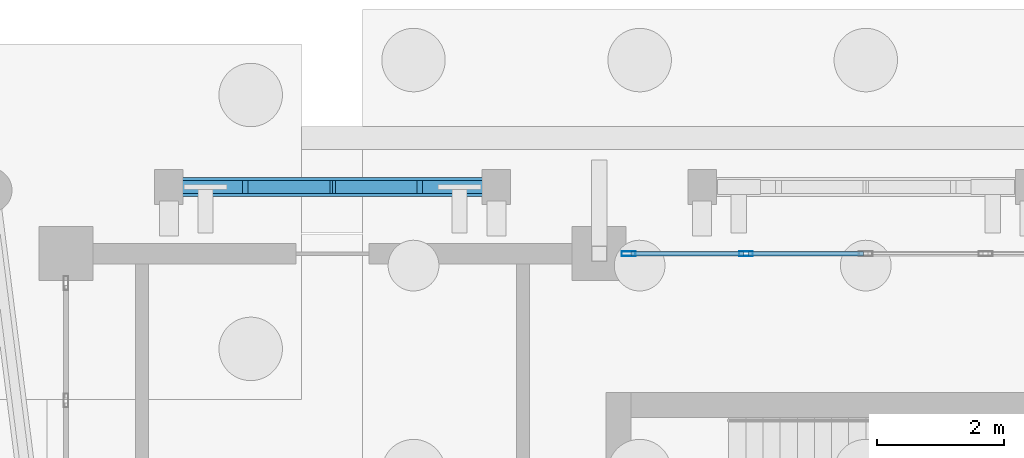
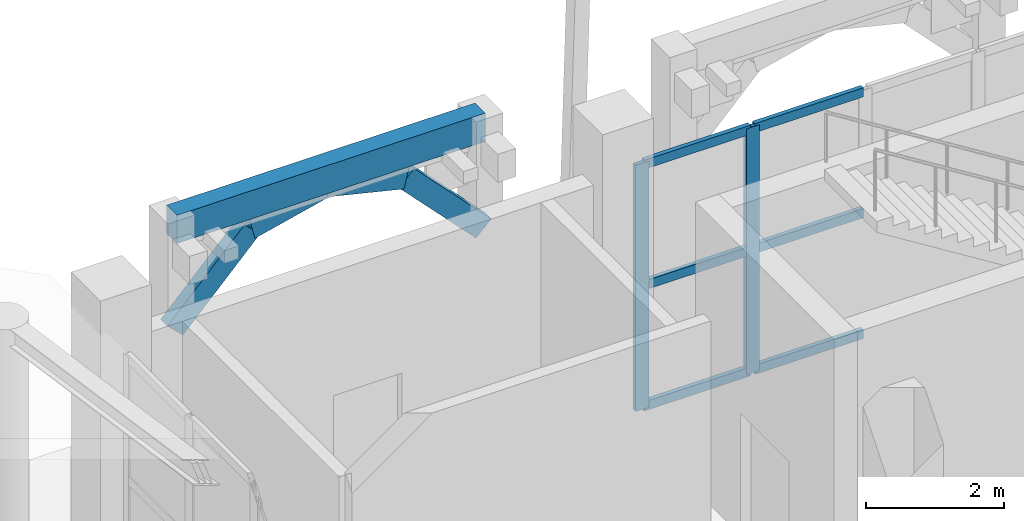
# One storey, part 34 of 98: 12 members, 1 beam, 1 element without a shape of its own.
"""IFC4 building model written with IfcOpenShell, lengths in metres."""

from ifc_helpers import new_model, si_unit, direction, frame, origin, origin_2d, place, context, subcontext, project, spatial, rectangle, hollow_rectangle, extrude, material, layer, layer_set, material_profile, profile_set, type_object, element, aggregate, save


model = new_model("IFC4")

# Units and contexts
model_context = context("Model", 3, precision=1e-05, world=origin(), true_north=direction((0.0, 1.0)))
body_context = subcontext(model_context, "Body", "Model", "MODEL_VIEW")
ifc_project = project(units=[si_unit("LENGTHUNIT", "METRE"), si_unit("AREAUNIT", "SQUARE_METRE"), si_unit("VOLUMEUNIT", "CUBIC_METRE"), si_unit("PLANEANGLEUNIT", "RADIAN"), si_unit("MASSUNIT", "GRAM", prefix="KILO")], contexts=[model_context])

# Site, building, storey
site_placement = place(None, origin())
site = spatial("IfcSite", under=ifc_project, at=site_placement, CompositionType="ELEMENT")
building_placement = place(site_placement, origin())
building = spatial("IfcBuilding", under=site, at=building_placement, Name="Xazarin Passage Department Store", CompositionType="ELEMENT")
storey_placement = place(building_placement, origin())
storey = spatial("IfcBuildingStorey", under=building, at=storey_placement, Name="L00", CompositionType="ELEMENT", Elevation=0.0)

# Curtain wall, members
ifc_material_1 = material(Name="Bronze anodised aluminium", Category="aluminium")
ifc_layer = layer(ifc_material_1, 0.179931640625)
ifc_layer_set = layer_set([ifc_layer], Name="Bronze anodised aluminium")
curtain_wall_type = type_object("IfcCurtainWallType", Name="ARC-CW-VIT1", PredefinedType="NOTDEFINED", material=ifc_layer_set)
curtain_wall_placement = place(storey_placement, origin())
curtain_wall = element("IfcCurtainWall", 1, at=curtain_wall_placement, inside=storey, type_object=curtain_wall_type, Name="L00 V1 Curtain Wall 003", PredefinedType="NOTDEFINED")
ifc_material_profile_1 = material_profile(ifc_material_1, hollow_rectangle(XDim=0.074951171875, YDim=0.219970703125, WallThickness=0.0048828125, at=origin_2d()), Name="ALU 75x220")
ifc_profile_set_1 = profile_set([ifc_material_profile_1], Name="Bronze anodised aluminium")
member_type_1 = type_object("IfcMemberType", Name="ARC-CWM-75x220", PredefinedType="MULLION", material=ifc_profile_set_1)
member_1_placement = place(storey_placement, frame((25.66259765625, 110.0, 0.0), z_axis=(0.0, 0.0, 1.0), x_axis=(0.0, 1.0, 0.0)))
member_1 = element("IfcMember", 2, at=member_1_placement, type_object=member_type_1, Name="CW1 mullion 1", PredefinedType="MULLION", context=body_context, shape_type="SweptSolid", body=[
    extrude(hollow_rectangle(XDim=0.074951171875, YDim=0.219970703125, WallThickness=0.0048828125, at=origin_2d()), origin(), (0.0, 0.0, 1.0), 4.35009765625),
])
member_2_placement = place(storey_placement, frame((27.512451171875, 110.0, 0.0), z_axis=(0.0, 0.0, 1.0), x_axis=(0.0, 1.0, 0.0)))
member_2 = element("IfcMember", 3, at=member_2_placement, type_object=member_type_1, Name="CW1 mullion 2", PredefinedType="MULLION", context=body_context, shape_type="SweptSolid", body=[
    extrude(hollow_rectangle(XDim=0.074951171875, YDim=0.219970703125, WallThickness=0.0048828125, at=origin_2d()), origin(), (0.0, 0.0, 1.0), 4.35009765625),
])
ifc_material_profile_2 = material_profile(ifc_material_1, hollow_rectangle(XDim=0.074951171875, YDim=0.159912109375, WallThickness=0.00439453125, at=origin_2d()), Name="ALU 75x160")
ifc_profile_set_2 = profile_set([ifc_material_profile_2], Name="Bronze anodised aluminium")
member_type_2 = type_object("IfcMemberType", Name="ARC-CWT-75x160", PredefinedType="USERDEFINED", material=ifc_profile_set_2)
member_3_placement = place(storey_placement, frame((25.699951171875, 110.0, 0.03759765625), z_axis=(1.0, 0.0, 0.0), x_axis=(0.0, 1.0, 0.0)))
member_3 = element("IfcMember", 4, at=member_3_placement, type_object=member_type_2, Name="CW1 transom 1.1", ObjectType="TRANSOM", PredefinedType="USERDEFINED", context=body_context, shape_type="SweptSolid", body=[
    extrude(hollow_rectangle(XDim=0.074951171875, YDim=0.159912109375, WallThickness=0.00439453125, at=origin_2d()), origin(), (0.0, 0.0, 1.0), 1.775146484375),
])
member_4_placement = place(storey_placement, frame((25.699951171875, 110.0, 2.175048828125), z_axis=(1.0, 0.0, 0.0), x_axis=(0.0, 1.0, 0.0)))
member_4 = element("IfcMember", 5, at=member_4_placement, type_object=member_type_2, Name="CW1 transom 1.2", ObjectType="TRANSOM", PredefinedType="USERDEFINED", context=body_context, shape_type="SweptSolid", body=[
    extrude(hollow_rectangle(XDim=0.074951171875, YDim=0.159912109375, WallThickness=0.00439453125, at=origin_2d()), origin(), (0.0, 0.0, 1.0), 1.775146484375),
])
member_5_placement = place(storey_placement, frame((25.699951171875, 110.0, 4.3125), z_axis=(1.0, 0.0, 0.0), x_axis=(0.0, 1.0, 0.0)))
member_5 = element("IfcMember", 6, at=member_5_placement, type_object=member_type_2, Name="CW1 transom 1.3", ObjectType="TRANSOM", PredefinedType="USERDEFINED", context=body_context, shape_type="SweptSolid", body=[
    extrude(hollow_rectangle(XDim=0.074951171875, YDim=0.159912109375, WallThickness=0.00439453125, at=origin_2d()), origin(), (0.0, 0.0, 1.0), 1.775146484375),
])
member_6_placement = place(storey_placement, frame((27.550048828125, 110.0, 0.03759765625), z_axis=(1.0, 0.0, 0.0), x_axis=(0.0, 1.0, 0.0)))
member_6 = element("IfcMember", 7, at=member_6_placement, type_object=member_type_2, Name="CW1 transom 2.1", ObjectType="TRANSOM", PredefinedType="USERDEFINED", context=body_context, shape_type="SweptSolid", body=[
    extrude(hollow_rectangle(XDim=0.074951171875, YDim=0.159912109375, WallThickness=0.00439453125, at=origin_2d()), origin(), (0.0, 0.0, 1.0), 1.8125),
])
member_7_placement = place(storey_placement, frame((27.550048828125, 110.0, 2.175048828125), z_axis=(1.0, 0.0, 0.0), x_axis=(0.0, 1.0, 0.0)))
member_7 = element("IfcMember", 8, at=member_7_placement, type_object=member_type_2, Name="CW1 transom 2.2", ObjectType="TRANSOM", PredefinedType="USERDEFINED", context=body_context, shape_type="SweptSolid", body=[
    extrude(hollow_rectangle(XDim=0.074951171875, YDim=0.159912109375, WallThickness=0.00439453125, at=origin_2d()), origin(), (0.0, 0.0, 1.0), 1.8125),
])
member_8_placement = place(storey_placement, frame((27.550048828125, 110.0, 4.3125), z_axis=(1.0, 0.0, 0.0), x_axis=(0.0, 1.0, 0.0)))
member_8 = element("IfcMember", 9, at=member_8_placement, type_object=member_type_2, Name="CW1 transom 2.3", ObjectType="TRANSOM", PredefinedType="USERDEFINED", context=body_context, shape_type="SweptSolid", body=[
    extrude(hollow_rectangle(XDim=0.074951171875, YDim=0.159912109375, WallThickness=0.00439453125, at=origin_2d()), origin(), (0.0, 0.0, 1.0), 1.8125),
])
aggregate(curtain_wall, [member_1, member_2, member_3, member_4, member_5, member_6, member_7, member_8])

# Beam
ifc_material_2 = material(Name="Concrete C35/45", Category="concrete")
ifc_material_profile_3 = material_profile(ifc_material_2, rectangle(XDim=0.300048828125, YDim=0.5, at=origin_2d()), Name="RC 300x500")
ifc_profile_set_3 = profile_set([ifc_material_profile_3], Name="Concrete C35/45")
beam_type = type_object("IfcBeamType", Name="STR-BM-LN300x500", PredefinedType="LINTEL", material=ifc_profile_set_3)
beam_placement = place(storey_placement, frame((18.419921875, 111.050048828125, 5.14990234375), z_axis=(1.0, 0.0, 0.0), x_axis=(0.0, 1.0, 0.0)))
element("IfcBeam", 10, at=beam_placement, inside=storey, type_object=beam_type, Name="L00 V1 Colonnade Spandrel Beam 001", PredefinedType="LINTEL", context=body_context, shape_type="SweptSolid", body=[
    extrude(rectangle(XDim=0.300048828125, YDim=0.5, at=origin_2d()), origin(), (0.0, 0.0, 1.0), 5.16015625),
])

# Members
ifc_material_3 = material(Name="Concrete C40/50", Category="concrete")
ifc_material_profile_4 = material_profile(ifc_material_3, rectangle(XDim=0.199951171875, YDim=0.360107421875, at=origin_2d()), Name="RC 200x360")
ifc_profile_set_4 = profile_set([ifc_material_profile_4], Name="Concrete C40/50")
member_type_3 = type_object("IfcMemberType", Name="STR-MEM-ARC360", PredefinedType="CHORD", material=ifc_profile_set_4)
member_9_placement = place(storey_placement, frame((18.419921875, 111.050048828125, 3.330078125), z_axis=(0.693460080602, 0.0, 0.720495049679), x_axis=(0.0, 1.0, 0.0)))
element("IfcMember", 11, at=member_9_placement, inside=storey, type_object=member_type_3, Name="L00 V1 Pierced Lattice Curved Arch 001.1", PredefinedType="CHORD", context=body_context, shape_type="SweptSolid", body=[
    extrude(rectangle(XDim=0.199951171875, YDim=0.360107421875, at=origin_2d()), origin(), (0.0, 0.0, 1.0), 1.8603515625),
])
for number, where, z_axis, x_axis, name in (
    (12, (19.7099609375, 111.050048828125, 4.67041015625), (0.972393983317, 0.0, 0.233345111818), (0.0, 1.0, 0.0), "L00 V1 Pierced Lattice Curved Arch 001.2"),
    (13, (21.0, 111.050048828125, 4.97998046875), (0.972393983317, 0.0, -0.233345111818), (0.0, 1.0, 0.0), "L00 V1 Pierced Lattice Curved Arch 001.3"),
):
    element("IfcMember", number, at=place(storey_placement, frame(where, z_axis=z_axis, x_axis=x_axis)), inside=storey, type_object=member_type_3, Name=name, PredefinedType="CHORD", context=body_context, shape_type="SweptSolid", body=[
        extrude(rectangle(XDim=0.199951171875, YDim=0.360107421875, at=origin_2d()), origin(), (0.0, 0.0, 1.0), 1.32666015625),
    ])
member_10_placement = place(storey_placement, frame((22.2900390625, 111.050048828125, 4.67041015625), z_axis=(0.693460080602, 0.0, -0.720495049679), x_axis=(0.0, 1.0, 0.0)))
element("IfcMember", 14, at=member_10_placement, inside=storey, type_object=member_type_3, Name="L00 V1 Pierced Lattice Curved Arch 001.4", PredefinedType="CHORD", context=body_context, shape_type="SweptSolid", body=[
    extrude(rectangle(XDim=0.199951171875, YDim=0.360107421875, at=origin_2d()), origin(), (0.0, 0.0, 1.0), 1.8603515625),
])

save(model, "model.ifc")
